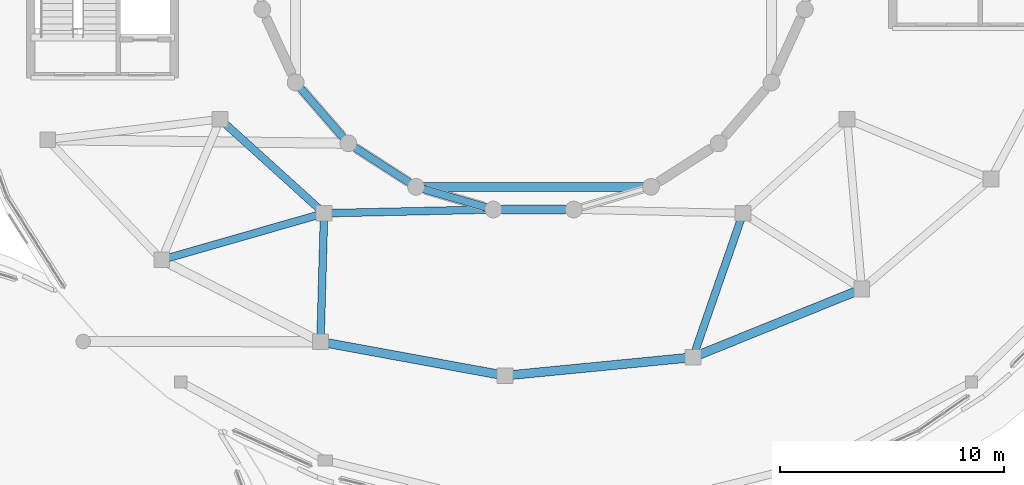
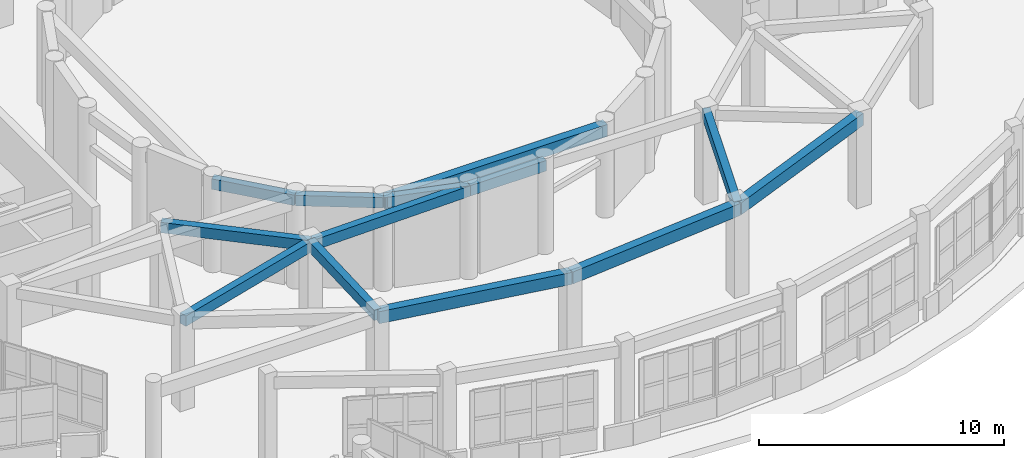
# One storey, part 39 of 98: 13 beams.
"""IFC4 building model written with IfcOpenShell, lengths in metres."""

import ifcopenshell
import ifcopenshell.guid

model = None  # the IFC model being written
_history = None  # IfcOwnerHistory: only IFC2X3 demands one
_inside = {}  # id of a spatial element -> (the spatial element, [elements in it])
_under = {}  # id of a project, library or spatial element -> (it, [spatial elements below it])
_declared = {}  # id of a project -> (the project, [libraries it declares])
_typed = {}  # id of a type object -> (the type object, [elements of that type])
_made_of = {}  # id of a material, layer set ... -> (it, [elements and type objects made of it])


def new_model(schema):
    """Start an empty IFC model of exactly this schema.

    Asked for "IFC4X3", IfcOpenShell would pick the latest addendum, in which some entities
    have other attributes; the version numbers below select the first issue.
    IFC2X3 requires an IfcOwnerHistory on every rooted entity: one is made here for all.
    """
    global model, _history
    if schema == "IFC4X3":
        model = ifcopenshell.file(schema_version=(4, 3, 0, 0))
    else:
        model = ifcopenshell.file(schema=schema)
    _inside.clear()
    _under.clear()
    _declared.clear()
    _typed.clear()
    _made_of.clear()
    _history = None
    if model.schema == "IFC2X3":
        org = make("IfcOrganization", Name="unknown")
        user = make(
            "IfcPersonAndOrganization",
            ThePerson=make("IfcPerson", FamilyName="unknown"),
            TheOrganization=org,
        )
        app = make(
            "IfcApplication",
            ApplicationDeveloper=org,
            Version="unknown",
            ApplicationFullName="unknown",
            ApplicationIdentifier="unknown",
        )
        _history = make(
            "IfcOwnerHistory",
            OwningUser=user,
            OwningApplication=app,
            ChangeAction="ADDED",
            CreationDate=0,
        )
    return model


def make(cls, **values):
    """One entity of the class cls with the attributes given. An attribute that is None is left unset."""
    return model.create_entity(
        cls, **{name: value for name, value in values.items() if value is not None}
    )


def rooted(cls, **values):
    """An entity with a GlobalId (a new one), such as an element, a storey or a relation."""
    return make(cls, GlobalId=ifcopenshell.guid.new(), OwnerHistory=_history, **values)


def si_unit(unit_type, name, prefix=None):
    """IfcSIUnit, for example si_unit("LENGTHUNIT", "METRE", prefix="MILLI")."""
    return make("IfcSIUnit", UnitType=unit_type, Prefix=prefix, Name=name)


def assignment(units):
    """IfcUnitAssignment: the units of a project."""
    return None if units is None else make("IfcUnitAssignment", Units=units)


def point(xyz):
    """IfcCartesianPoint."""
    return None if xyz is None else make("IfcCartesianPoint", Coordinates=xyz)


def direction(xyz):
    """IfcDirection."""
    return None if xyz is None else make("IfcDirection", DirectionRatios=xyz)


def frame(location, z_axis=None, x_axis=None):
    """IfcAxis2Placement3D, a coordinate frame: its origin and axes. An axis left out is left unset."""
    return make(
        "IfcAxis2Placement3D",
        Location=point(location),
        Axis=direction(z_axis),
        RefDirection=direction(x_axis),
    )


def frame_2d(location, x_axis=None):
    """IfcAxis2Placement2D, a coordinate frame in the plane: its origin and x axis."""
    return make(
        "IfcAxis2Placement2D", Location=point(location), RefDirection=direction(x_axis)
    )


def origin():
    """The frame at (0, 0, 0) with its axes left unset."""
    return frame((0.0, 0.0, 0.0))


def origin_2d():
    """The frame at (0, 0) in the plane with its x axis left unset."""
    return frame_2d((0.0, 0.0))


def place(relative_to, where):
    """IfcLocalPlacement: puts the frame where relative to a parent placement (None: the world)."""
    return make(
        "IfcLocalPlacement", PlacementRelTo=relative_to, RelativePlacement=where
    )


def context(
    kind, dimensions, precision=None, world=None, true_north=None, identifier=None
):
    """IfcGeometricRepresentationContext, for example the 3D "Model" context."""
    return make(
        "IfcGeometricRepresentationContext",
        ContextIdentifier=identifier,
        ContextType=kind,
        CoordinateSpaceDimension=dimensions,
        Precision=precision,
        WorldCoordinateSystem=world,
        TrueNorth=true_north,
    )


def subcontext(parent, identifier, kind, view, scale=None):
    """IfcGeometricRepresentationSubContext, for example "Body" below "Model"."""
    return make(
        "IfcGeometricRepresentationSubContext",
        ContextIdentifier=identifier,
        ContextType=kind,
        ParentContext=parent,
        TargetScale=scale,
        TargetView=view,
    )


def project(units=None, contexts=None):
    """IfcProject with its units and contexts."""
    return rooted(
        "IfcProject",
        Name="project",
        RepresentationContexts=contexts,
        UnitsInContext=assignment(units),
    )


def spatial(cls, under=None, at=None, **own):
    """A site, building, storey or space (cls), placed at a placement, below another one or the project."""
    s = rooted(cls, ObjectPlacement=at, **own)
    if under is not None:
        _under.setdefault(under.id(), (under, []))[1].append(s)
    return s


def profile(cls, at=None, kind="AREA", **sizes):
    """A parametric profile (cls). Its sizes go by their IFC names, for example OverallWidth=200.0."""
    return make(cls, ProfileType=kind, Position=at, **sizes)


def rectangle(**sizes):
    """IfcRectangleProfileDef."""
    return profile("IfcRectangleProfileDef", **sizes)


def extrude(swept, where, along, depth):
    """IfcExtrudedAreaSolid: the profile swept, set in the frame where, extruded along a direction by depth."""
    return make(
        "IfcExtrudedAreaSolid",
        SweptArea=swept,
        Position=where,
        ExtrudedDirection=direction(along),
        Depth=depth,
    )


def shape(context_of_items, identifier, shape_type, items):
    """IfcShapeRepresentation: the items that make up one representation, for example the "Body"."""
    return make(
        "IfcShapeRepresentation",
        ContextOfItems=context_of_items,
        RepresentationIdentifier=identifier,
        RepresentationType=shape_type,
        Items=items,
    )


def material(Name=None, Category=None):
    """IfcMaterial."""
    return make("IfcMaterial", Name=Name, Category=Category)


def material_profile(
    of_material, cross_section, Name=None, Category=None, Priority=None
):
    """IfcMaterialProfile: a cross section and its material."""
    return make(
        "IfcMaterialProfile",
        Name=Name,
        Material=of_material,
        Profile=cross_section,
        Priority=Priority,
        Category=Category,
    )


def profile_set(profiles, Name=None, composite=None):
    """IfcMaterialProfileSet."""
    return make(
        "IfcMaterialProfileSet",
        Name=Name,
        MaterialProfiles=profiles,
        CompositeProfile=composite,
    )


def made_of(thing, what):
    """Note that an element or type object is made of a material, layer set ...; save() writes the relation."""
    if what is not None:
        _made_of.setdefault(what.id(), (what, []))[1].append(thing)
    return thing


def type_object(cls, material=None, **own):
    """A type object (cls), such as IfcWallType, which elements share."""
    return made_of(rooted(cls, **own), material)


def element(
    cls,
    number,
    at=None,
    inside=None,
    cuts=None,
    type_object=None,
    material=None,
    context=None,
    identifier="Body",
    shape_type=None,
    held_by="IfcProductDefinitionShape",
    body=None,
    shapes=None,
    **own,
):
    """One element of the class cls, such as IfcWall. Its Tag is "e" and its number.

    at: its placement. inside: the storey or other place that contains it. cuts: it is an
    opening in that element (IfcRelVoidsElement). A single representation is given by context,
    identifier, shape_type and body (its items); several are given by shapes. held_by: the class
    of the entity that holds the representations. save() writes the other relations.
    """
    e = rooted(cls, Tag="e%d" % number, ObjectPlacement=at, **own)
    if body is not None:
        shapes = [shape(context, identifier, shape_type, body)]
    if shapes is not None:
        e.Representation = make(held_by, Representations=shapes)
    if inside is not None:
        _inside.setdefault(inside.id(), (inside, []))[1].append(e)
    if cuts is not None:
        rooted(
            "IfcRelVoidsElement", RelatingBuildingElement=cuts, RelatedOpeningElement=e
        )
    if type_object is not None:
        _typed.setdefault(type_object.id(), (type_object, []))[1].append(e)
    return made_of(e, material)


def aggregate(whole, parts):
    """IfcRelAggregates: a whole, such as a stair, and the parts it consists of."""
    return rooted("IfcRelAggregates", RelatingObject=whole, RelatedObjects=parts)


def save(model, path):
    """Write the relations noted so far, then the file.

    IfcRelAggregates (storeys below a building ...), IfcRelContainedInSpatialStructure (elements
    in a storey), IfcRelDefinesByType, IfcRelAssociatesMaterial and IfcRelDeclares: one each for
    every whole, place, type object, material and project.
    """
    for whole, parts in _under.values():
        aggregate(whole, parts)
    for where, things in _inside.values():
        rooted(
            "IfcRelContainedInSpatialStructure",
            RelatedElements=things,
            RelatingStructure=where,
        )
    for kind, things in _typed.values():
        rooted("IfcRelDefinesByType", RelatedObjects=things, RelatingType=kind)
    for what, things in _made_of.values():
        rooted("IfcRelAssociatesMaterial", RelatedObjects=things, RelatingMaterial=what)
    for by, libraries in _declared.values():
        rooted("IfcRelDeclares", RelatingContext=by, RelatedDefinitions=libraries)
    model.write(path)


model = new_model("IFC4")

# Units and contexts
model_context = context("Model", 3, precision=1e-05, world=origin(), true_north=direction((0.0, 1.0)))
body_context = subcontext(model_context, "Body", "Model", "MODEL_VIEW")
ifc_project = project(units=[si_unit("LENGTHUNIT", "METRE"), si_unit("AREAUNIT", "SQUARE_METRE"), si_unit("VOLUMEUNIT", "CUBIC_METRE"), si_unit("PLANEANGLEUNIT", "RADIAN"), si_unit("MASSUNIT", "GRAM", prefix="KILO")], contexts=[model_context])

# Site, building, storey
site_placement = place(None, origin())
site = spatial("IfcSite", under=ifc_project, at=site_placement, CompositionType="ELEMENT")
building_placement = place(site_placement, origin())
building = spatial("IfcBuilding", under=site, at=building_placement, Name="Pelvatis Terrace Science Centre", CompositionType="ELEMENT")
storey_placement = place(building_placement, frame((0.0, 0.0, 5.39990234375)))
storey = spatial("IfcBuildingStorey", under=building, at=storey_placement, Name="L01", CompositionType="ELEMENT", Elevation=5.39990234375)

# Beams
ifc_material_1 = material(Name="Concrete C35/45", Category="concrete")
ifc_material_profile_1 = material_profile(ifc_material_1, rectangle(XDim=0.340087890625, YDim=0.52001953125, at=origin_2d()), Name="RC-BM 340x520")
ifc_profile_set_1 = profile_set([ifc_material_profile_1], Name="Concrete C35/45")
beam_type_1 = type_object("IfcBeamType", Name="BM-RC-340x520", PredefinedType="BEAM", material=ifc_profile_set_1)
beam_1_placement = place(storey_placement, frame((98.60009765625, 78.98779296875, 4.280029296875), z_axis=(0.654896845036, -0.755718282406, 0.0), x_axis=(0.755718282406, 0.654896845036, 0.0)))
element("IfcBeam", 1, at=beam_1_placement, inside=storey, type_object=beam_type_1, Name="Beam BM-L01-2556", PredefinedType="BEAM", context=body_context, shape_type="SweptSolid", body=[
    extrude(rectangle(XDim=0.340087890625, YDim=0.52001953125, at=origin_2d()), origin(), (0.0, 0.0, 1.0), 3.586181640625),
])
beam_2_placement = place(storey_placement, frame((100.94873046875, 76.277587890625, 4.280029296875), z_axis=(0.841253667692, -0.540640607607, 0.0), x_axis=(0.540640607607, 0.841253667692, 0.0)))
element("IfcBeam", 2, at=beam_2_placement, inside=storey, type_object=beam_type_1, Name="Beam BM-L01-2557", PredefinedType="BEAM", context=body_context, shape_type="SweptSolid", body=[
    extrude(rectangle(XDim=0.340087890625, YDim=0.52001953125, at=origin_2d()), origin(), (0.0, 0.0, 1.0), 3.58642578125),
])
beam_3_placement = place(storey_placement, frame((103.9658203125, 74.338623046875, 4.280029296875), z_axis=(0.959481412085, -0.281771928808, 0.0), x_axis=(0.281771928808, 0.959481412085, 0.0)))
element("IfcBeam", 3, at=beam_3_placement, inside=storey, type_object=beam_type_1, Name="Beam BM-L01-2559", PredefinedType="BEAM", context=body_context, shape_type="SweptSolid", body=[
    extrude(rectangle(XDim=0.340087890625, YDim=0.52001953125, at=origin_2d()), origin(), (0.0, 0.0, 1.0), 3.586181640625),
])
beam_4_placement = place(storey_placement, frame((107.40673828125, 73.328125, 4.280029296875), z_axis=(1.0, 0.0, 0.0), x_axis=(0.0, 1.0, 0.0)))
element("IfcBeam", 4, at=beam_4_placement, inside=storey, type_object=beam_type_1, Name="Beam BM-L01-2561", PredefinedType="BEAM", context=body_context, shape_type="SweptSolid", body=[
    extrude(rectangle(XDim=0.340087890625, YDim=0.52001953125, at=origin_2d()), origin(), (0.0, 0.0, 1.0), 3.58642578125),
])
beam_5_placement = place(storey_placement, frame((107.40673828125, 73.328125, 4.280029296875), z_axis=(-0.999756283601, -0.022076535063, 0.0), x_axis=(0.022076535063, -0.999756283601, 0.0)))
element("IfcBeam", 5, at=beam_5_placement, inside=storey, type_object=beam_type_1, Name="Beam BM-L01-2562", PredefinedType="BEAM", context=body_context, shape_type="SweptSolid", body=[
    extrude(rectangle(XDim=0.340087890625, YDim=0.52001953125, at=origin_2d()), origin(), (0.0, 0.0, 1.0), 7.542236328125),
])
beam_6_placement = place(storey_placement, frame((92.62744140625, 71.0849609375, 4.280029296875), z_axis=(0.961229800433, 0.275748564382, 0.0), x_axis=(-0.275748564382, 0.961229800433, 0.0)))
element("IfcBeam", 6, at=beam_6_placement, inside=storey, type_object=beam_type_1, Name="Beam BM-L01-2640", PredefinedType="BEAM", context=body_context, shape_type="SweptSolid", body=[
    extrude(rectangle(XDim=0.340087890625, YDim=0.52001953125, at=origin_2d()), origin(), (0.0, 0.0, 1.0), 7.531005859375),
])
beam_7_placement = place(storey_placement, frame((99.705078125, 67.434326171875, 4.280029296875), z_axis=(0.028165640532, 0.999603269649, 0.0), x_axis=(-0.999603269649, 0.028165640532, 0.0)))
element("IfcBeam", 7, at=beam_7_placement, inside=storey, type_object=beam_type_1, Name="Beam BM-L01-2642", PredefinedType="BEAM", context=body_context, shape_type="SweptSolid", body=[
    extrude(rectangle(XDim=0.340087890625, YDim=0.52001953125, at=origin_2d()), origin(), (0.0, 0.0, 1.0), 5.7294921875),
])
beam_8_placement = place(storey_placement, frame((116.3046875, 66.743408203125, 4.280029296875), z_axis=(0.328071814406, 0.944652785203, 0.0), x_axis=(-0.944652785203, 0.328071814406, 0.0)))
element("IfcBeam", 8, at=beam_8_placement, inside=storey, type_object=beam_type_1, Name="Beam BM-L01-2645", PredefinedType="BEAM", context=body_context, shape_type="SweptSolid", body=[
    extrude(rectangle(XDim=0.340087890625, YDim=0.52001953125, at=origin_2d()), origin(), (0.0, 0.0, 1.0), 6.794189453125),
])
beam_9_placement = place(storey_placement, frame((95.231201171875, 77.355224609375, 4.280029296875), z_axis=(0.741551509184, -0.670895937704, 0.0), x_axis=(0.670895937704, 0.741551509184, 0.0)))
element("IfcBeam", 9, at=beam_9_placement, inside=storey, type_object=beam_type_1, Name="Beam BM-L01-2652", PredefinedType="BEAM", context=body_context, shape_type="SweptSolid", body=[
    extrude(rectangle(XDim=0.340087890625, YDim=0.52001953125, at=origin_2d()), origin(), (0.0, 0.0, 1.0), 6.250732421875),
])
ifc_material_2 = material(Name="Concrete C35/45", Category="concrete")
ifc_material_profile_2 = material_profile(ifc_material_2, rectangle(XDim=0.39990234375, YDim=0.60009765625, at=origin_2d()), Name="RC-BM 400x600")
ifc_profile_set_2 = profile_set([ifc_material_profile_2], Name="Concrete C35/45")
beam_type_2 = type_object("IfcBeamType", Name="BM-RC-400x600", PredefinedType="BEAM", material=ifc_profile_set_2)
beam_10_placement = place(storey_placement, frame((103.9658203125, 74.338623046875, 4.239990234375), z_axis=(1.0, 0.0, 0.0), x_axis=(0.0, 1.0, 0.0)))
element("IfcBeam", 10, at=beam_10_placement, inside=storey, type_object=beam_type_2, Name="Beam BM-L01-2560", PredefinedType="BEAM", context=body_context, shape_type="SweptSolid", body=[
    extrude(rectangle(XDim=0.39990234375, YDim=0.60009765625, at=origin_2d()), origin(), (0.0, 0.0, 1.0), 10.46826171875),
])
beam_11_placement = place(storey_placement, frame((99.705078125, 67.434326171875, 4.239990234375), z_axis=(0.983601549943, -0.180355179991, 0.0), x_axis=(0.180355179991, 0.983601549943, 0.0)))
element("IfcBeam", 11, at=beam_11_placement, inside=storey, type_object=beam_type_2, Name="Beam BM-L01-2641", PredefinedType="BEAM", context=body_context, shape_type="SweptSolid", body=[
    extrude(rectangle(XDim=0.39990234375, YDim=0.60009765625, at=origin_2d()), origin(), (0.0, 0.0, 1.0), 8.3603515625),
])
beam_12_placement = place(storey_placement, frame((107.92822265625, 65.926513671875, 4.239990234375), z_axis=(0.995278325495, 0.097062118249, 0.0), x_axis=(-0.097062118249, 0.995278325495, 0.0)))
element("IfcBeam", 12, at=beam_12_placement, inside=storey, type_object=beam_type_2, Name="Beam BM-L01-2643", PredefinedType="BEAM", context=body_context, shape_type="SweptSolid", body=[
    extrude(rectangle(XDim=0.39990234375, YDim=0.60009765625, at=origin_2d()), origin(), (0.0, 0.0, 1.0), 8.416259765625),
])
beam_13_placement = place(storey_placement, frame((116.3046875, 66.743408203125, 4.239990234375), z_axis=(0.926974722929, 0.375123796967, 0.0), x_axis=(-0.375123796967, 0.926974722929, 0.0)))
element("IfcBeam", 13, at=beam_13_placement, inside=storey, type_object=beam_type_2, Name="Beam BM-L01-2644", PredefinedType="BEAM", context=body_context, shape_type="SweptSolid", body=[
    extrude(rectangle(XDim=0.39990234375, YDim=0.60009765625, at=origin_2d()), origin(), (0.0, 0.0, 1.0), 8.11181640625),
])

save(model, "model.ifc")
